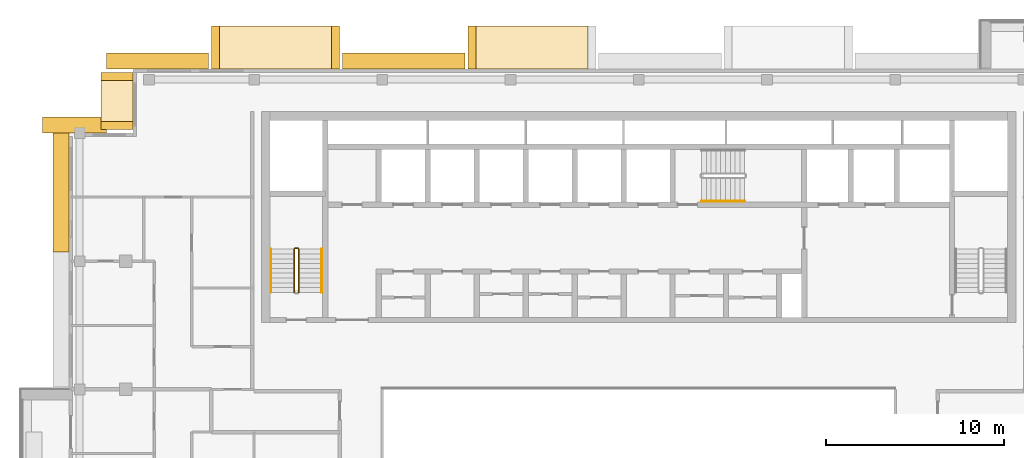
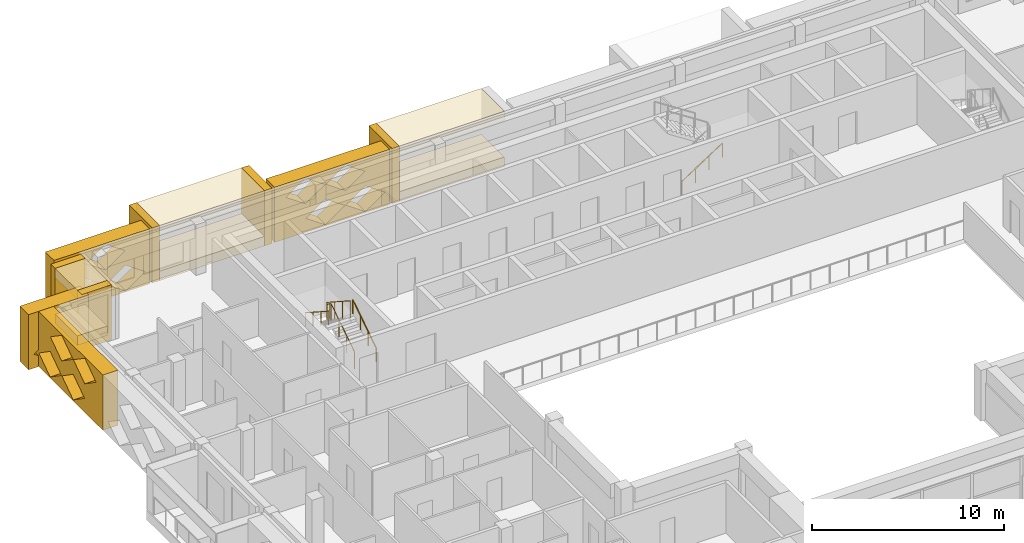
# One storey, part 17 of 19: 15 coverings, 4 railings.
"""IFC4 building model written with IfcOpenShell, lengths in metres."""

from ifc_helpers import new_model, si_unit, direction, frame, origin, origin_2d, place, context, subcontext, project, spatial, polyline, circle, outline, extrude, material, type_object, element, save


model = new_model("IFC4")

# Units and contexts
model_context = context("Model", 3, precision=1e-05, world=origin(), true_north=direction((0.0, 1.0)))
body_context = subcontext(model_context, "Body", "Model", "MODEL_VIEW")
ifc_project = project(units=[si_unit("LENGTHUNIT", "METRE"), si_unit("AREAUNIT", "SQUARE_METRE"), si_unit("VOLUMEUNIT", "CUBIC_METRE"), si_unit("PLANEANGLEUNIT", "RADIAN"), si_unit("MASSUNIT", "GRAM", prefix="KILO")], contexts=[model_context])

# Site, building, storey
site_placement = place(None, origin())
site = spatial("IfcSite", under=ifc_project, at=site_placement, CompositionType="ELEMENT")
building_placement = place(site_placement, origin())
building = spatial("IfcBuilding", under=site, at=building_placement, Name="Saffron Iwan Residences", CompositionType="ELEMENT")
storey_placement = place(building_placement, frame((0.0, 0.0, 264.0)))
storey = spatial("IfcBuildingStorey", under=building, at=storey_placement, Name="L71", CompositionType="ELEMENT", Elevation=264.0)

# Coverings
ifc_material_1 = material(Name="Precast concrete C40/50", Category="concrete")
covering_type_1 = type_object("IfcCoveringType", Name="OUTER SKIN LATTICE SCREEN", PredefinedType="CLADDING", material=ifc_material_1)
covering_1_placement = place(storey_placement, frame((40.64990234375, 80.39990234375, -0.280029296875), z_axis=(0.0, 1.0, 0.0), x_axis=(-1.0, 0.0, 0.0)))
element("IfcCovering", 1, at=covering_1_placement, inside=storey, type_object=covering_type_1, Name="OUTER SKIN lattice screen L71 F5.3", PredefinedType="CLADDING", context=body_context, shape_type="SweptSolid", body=[
    extrude(outline(polyline([(0.0, 0.0), (6.89990234375, 0.0), (6.89990234375, 3.5), (0.0, 3.5), (0.0, 0.0)]), holes=[polyline([(0.27001953125, 0.875), (1.449951171875, 0.06005859375), (2.6298828125, 0.875), (1.449951171875, 1.68994140625), (0.27001953125, 0.875)]), polyline([(2.669921875, 0.875), (3.85009765625, 0.06005859375), (5.030029296875, 0.875), (3.85009765625, 1.68994140625), (2.669921875, 0.875)]), polyline([(1.469970703125, 2.625), (2.64990234375, 1.81005859375), (3.830078125, 2.625), (2.64990234375, 3.43994140625), (1.469970703125, 2.625)]), polyline([(3.8701171875, 2.625), (5.050048828125, 1.81005859375), (6.22998046875, 2.625), (5.050048828125, 3.43994140625), (3.8701171875, 2.625)])]), origin(), (0.0, 0.0, 1.0), 0.900146484375),
])
covering_2_placement = place(storey_placement, frame((26.25, 80.39990234375, -0.280029296875), z_axis=(0.0, 1.0, 0.0), x_axis=(-1.0, 0.0, 0.0)))
element("IfcCovering", 2, at=covering_2_placement, inside=storey, type_object=covering_type_1, Name="OUTER SKIN lattice screen L71 F5.4", PredefinedType="CLADDING", context=body_context, shape_type="SweptSolid", body=[
    extrude(outline(polyline([(0.0, 0.0), (5.75, 0.0), (5.75, 3.5), (0.0, 3.5), (0.0, 0.0)]), holes=[polyline([(0.27001953125, 0.875), (1.449951171875, 0.06005859375), (2.6298828125, 0.875), (1.449951171875, 1.68994140625), (0.27001953125, 0.875)]), polyline([(2.669921875, 0.875), (3.85009765625, 0.06005859375), (5.030029296875, 0.875), (3.85009765625, 1.68994140625), (2.669921875, 0.875)]), polyline([(1.469970703125, 2.625), (2.64990234375, 1.81005859375), (3.830078125, 2.625), (2.64990234375, 3.43994140625), (1.469970703125, 2.625)])]), origin(), (0.0, 0.0, 1.0), 0.900146484375),
])
covering_3_placement = place(storey_placement, frame((20.5, 76.800048828125, -0.280029296875), z_axis=(0.0, 1.0, 0.0), x_axis=(-1.0, 0.0, 0.0)))
element("IfcCovering", 3, at=covering_3_placement, inside=storey, type_object=covering_type_1, Name="OUTER SKIN lattice screen L71 F7.0", PredefinedType="CLADDING", context=body_context, shape_type="SweptSolid", body=[
    extrude(outline(polyline([(0.0, 0.0), (3.60009765625, 0.0), (3.60009765625, 3.5), (0.0, 3.5), (0.0, 0.0)]), holes=[polyline([(0.919921875, 0.875), (2.10009765625, 0.06005859375), (3.280029296875, 0.875), (2.10009765625, 1.68994140625), (0.919921875, 0.875)])]), origin(), (0.0, 0.0, 1.0), 0.89990234375),
])
covering_4_placement = place(storey_placement, frame((18.39990234375, 77.699951171875, -0.280029296875), z_axis=(-1.0, 0.0, 0.0), x_axis=(0.0, -1.0, 0.0)))
element("IfcCovering", 4, at=covering_4_placement, inside=storey, type_object=covering_type_1, Name="OUTER SKIN lattice screen L71 F8.0", PredefinedType="CLADDING", context=body_context, shape_type="SweptSolid", body=[
    extrude(outline(polyline([(0.0, 0.0), (7.574951171875, 0.0), (7.574951171875, 3.5), (0.0, 3.5), (0.0, 0.0)]), holes=[polyline([(0.919921875, 0.875), (2.10009765625, 0.06005859375), (3.280029296875, 0.875), (2.10009765625, 1.68994140625), (0.919921875, 0.875)]), polyline([(3.320068359375, 0.875), (4.5, 0.06005859375), (5.679931640625, 0.875), (4.5, 1.68994140625), (3.320068359375, 0.875)]), polyline([(2.1201171875, 2.625), (3.300048828125, 1.81005859375), (4.47998046875, 2.625), (3.300048828125, 3.43994140625), (2.1201171875, 2.625)]), polyline([(4.52001953125, 2.625), (5.699951171875, 1.81005859375), (6.8798828125, 2.625), (5.699951171875, 3.43994140625), (4.52001953125, 2.625)])]), origin(), (0.0, 0.0, 1.0), 0.89990234375),
])

# Railings
ifc_material_2 = material(Name="Steel S355", Category="steel")
railing_type_1 = type_object("IfcRailingType", Name="Stair guard 1100", PredefinedType="GUARDRAIL", material=ifc_material_2)
railing_1_placement = place(storey_placement, frame((31.300048828125, 67.85009765625, 0.175048828125)))
element("IfcRailing", 5, at=railing_1_placement, inside=storey, type_object=railing_type_1, Name="L71 ST-W stair guard 1", PredefinedType="GUARDRAIL", context=body_context, shape_type="SweptSolid", body=[
    extrude(circle(Radius=0.02392578125, at=origin_2d()), frame((0.0, 0.0, 1.076171875), z_axis=(0.0, 0.839153699163, 0.543894354798), x_axis=(-1.0, 0.0, 0.0)), (0.0, 0.0, 1.0), 2.895751953125),
    extrude(circle(Radius=0.02392578125, at=origin_2d()), frame((0.0, 2.429931640625, 2.65087890625), z_axis=(-0.707106781187, 0.707106781187, 0.0), x_axis=(-0.707106781187, -0.707106781187, 0.0)), (0.0, 0.0, 1.0), 0.07080078125),
    extrude(circle(Radius=0.02392578125, at=origin_2d()), frame((-0.050048828125, 2.47998046875, 2.65087890625), z_axis=(-1.0, 0.0, 0.0), x_axis=(0.0, -1.0, 0.0)), (0.0, 0.0, 1.0), 0.14990234375),
    extrude(circle(Radius=0.02392578125, at=origin_2d()), frame((-0.199951171875, 2.47998046875, 2.65087890625), z_axis=(-0.265065253269, -0.265065253269, 0.927081885822), x_axis=(0.707106781187, -0.707106781187, 0.0)), (0.0, 0.0, 1.0), 0.188720703125),
    extrude(circle(Radius=0.02392578125, at=origin_2d()), frame((-0.25, 2.429931640625, 2.826171875), z_axis=(0.0, -0.839153699163, 0.543894354798), x_axis=(1.0, 0.0, 0.0)), (0.0, 0.0, 1.0), 2.895751953125),
    extrude(circle(Radius=0.02099609375, at=origin_2d()), origin(), (0.0, 0.0, 1.0), 1.052001953125),
    extrude(circle(Radius=0.02099609375, at=origin_2d()), frame((0.0, 0.81005859375, 0.52490234375)), (0.0, 0.0, 1.0), 1.052001953125),
    extrude(circle(Radius=0.02099609375, at=origin_2d()), frame((0.0, 1.619873046875, 1.050048828125)), (0.0, 0.0, 1.0), 1.052001953125),
    extrude(circle(Radius=0.02099609375, at=origin_2d()), frame((0.0, 2.429931640625, 1.574951171875)), (0.0, 0.0, 1.0), 1.052001953125),
    extrude(circle(Radius=0.02099609375, at=origin_2d()), frame((-0.050048828125, 2.47998046875, 1.574951171875)), (0.0, 0.0, 1.0), 1.052001953125),
    extrude(circle(Radius=0.02099609375, at=origin_2d()), frame((-0.199951171875, 2.47998046875, 1.574951171875)), (0.0, 0.0, 1.0), 1.052001953125),
    extrude(circle(Radius=0.02099609375, at=origin_2d()), frame((-0.25, 2.429931640625, 1.75)), (0.0, 0.0, 1.0), 1.052001953125),
    extrude(circle(Radius=0.02099609375, at=origin_2d()), frame((-0.25, 1.619873046875, 2.27490234375)), (0.0, 0.0, 1.0), 1.052001953125),
    extrude(circle(Radius=0.02099609375, at=origin_2d()), frame((-0.25, 0.81005859375, 2.800048828125)), (0.0, 0.0, 1.0), 1.052001953125),
    extrude(circle(Radius=0.02099609375, at=origin_2d()), frame((-0.25, 0.0, 3.324951171875)), (0.0, 0.0, 1.0), 1.052001953125),
])
ifc_material_3 = material(Name="Stainless steel 316", Category="steel")
railing_type_2 = type_object("IfcRailingType", Name="Stair handrail 900", PredefinedType="HANDRAIL", material=ifc_material_3)
railing_2_placement = place(storey_placement, frame((32.60009765625, 67.85009765625, 0.175048828125)))
element("IfcRailing", 6, at=railing_2_placement, inside=storey, type_object=railing_type_2, Name="L71 ST-W stair handrail 1", PredefinedType="HANDRAIL", context=body_context, shape_type="SweptSolid", body=[
    extrude(circle(Radius=0.02392578125, at=origin_2d()), frame((0.0, 0.0, 0.8759765625), z_axis=(0.0, 0.839153699163, 0.543894354798), x_axis=(-1.0, 0.0, 0.0)), (0.0, 0.0, 1.0), 2.895751953125),
    extrude(circle(Radius=0.02099609375, at=origin_2d()), origin(), (0.0, 0.0, 1.0), 0.851806640625),
    extrude(circle(Radius=0.02099609375, at=origin_2d()), frame((0.0, 0.81005859375, 0.52490234375)), (0.0, 0.0, 1.0), 0.851806640625),
    extrude(circle(Radius=0.02099609375, at=origin_2d()), frame((0.0, 1.619873046875, 1.050048828125)), (0.0, 0.0, 1.0), 0.851806640625),
    extrude(circle(Radius=0.02099609375, at=origin_2d()), frame((0.0, 2.429931640625, 1.574951171875)), (0.0, 0.0, 1.0), 0.851806640625),
])
railing_3_placement = place(storey_placement, frame((29.75, 70.280029296875, 1.925048828125)))
element("IfcRailing", 7, at=railing_3_placement, inside=storey, type_object=railing_type_2, Name="L71 ST-W stair handrail 2", PredefinedType="HANDRAIL", context=body_context, shape_type="SweptSolid", body=[
    extrude(circle(Radius=0.02392578125, at=origin_2d()), frame((0.0, 0.0, 0.8759765625), z_axis=(0.0, -0.839153699163, 0.543894354798), x_axis=(1.0, 0.0, 0.0)), (0.0, 0.0, 1.0), 2.895751953125),
    extrude(circle(Radius=0.02099609375, at=origin_2d()), origin(), (0.0, 0.0, 1.0), 0.851806640625),
    extrude(circle(Radius=0.02099609375, at=origin_2d()), frame((0.0, -0.81005859375, 0.52490234375)), (0.0, 0.0, 1.0), 0.851806640625),
    extrude(circle(Radius=0.02099609375, at=origin_2d()), frame((0.0, -1.619873046875, 1.050048828125)), (0.0, 0.0, 1.0), 0.851806640625),
    extrude(circle(Radius=0.02099609375, at=origin_2d()), frame((0.0, -2.429931640625, 1.574951171875)), (0.0, 0.0, 1.0), 0.851806640625),
])
railing_4_placement = place(storey_placement, frame((53.925048828125, 72.97509765625, 0.175048828125)))
element("IfcRailing", 8, at=railing_4_placement, inside=storey, type_object=railing_type_2, Name="L71 ST-C stair handrail 1", PredefinedType="HANDRAIL", context=body_context, shape_type="SweptSolid", body=[
    extrude(circle(Radius=0.02392578125, at=origin_2d()), frame((0.0, 0.0, 0.8759765625), z_axis=(0.839153699163, 0.0, 0.543894354798), x_axis=(0.0, 1.0, 0.0)), (0.0, 0.0, 1.0), 2.895751953125),
    extrude(circle(Radius=0.02099609375, at=origin_2d()), origin(), (0.0, 0.0, 1.0), 0.851806640625),
    extrude(circle(Radius=0.02099609375, at=origin_2d()), frame((0.81005859375, 0.0, 0.52490234375)), (0.0, 0.0, 1.0), 0.851806640625),
    extrude(circle(Radius=0.02099609375, at=origin_2d()), frame((1.619873046875, 0.0, 1.050048828125)), (0.0, 0.0, 1.0), 0.851806640625),
    extrude(circle(Radius=0.02099609375, at=origin_2d()), frame((2.429931640625, 0.0, 1.574951171875)), (0.0, 0.0, 1.0), 0.851806640625),
])

# Coverings
ifc_material_4 = material(Name="Precast concrete C40/50 white painted", Category="concrete")
covering_type_2 = type_object("IfcCoveringType", Name="WHITE SUN FRAME PRECAST", PredefinedType="CLADDING", material=ifc_material_4)
covering_5_placement = place(storey_placement, frame((41.25, 80.39990234375, -0.280029296875), z_axis=(0.0, 1.0, 0.0), x_axis=(-1.0, 0.0, 0.0)))
element("IfcCovering", 9, at=covering_5_placement, inside=storey, type_object=covering_type_2, Name="Sun frame L71 F5 30.8b", PredefinedType="CLADDING", context=body_context, shape_type="SweptSolid", body=[
    extrude(outline(polyline([(0.0, 0.0), (0.449951171875, 0.0), (0.449951171875, 3.5), (0.0, 3.5), (0.0, 0.0)])), origin(), (0.0, 0.0, 1.0), 2.400146484375),
])
for number, where, z_axis, x_axis, name in (
    (10, (47.550048828125, 80.39990234375, 2.6201171875), (0.0, 1.0, 0.0), (-1.0, 0.0, 0.0), "Sun frame L71 F5 30.8h"),
    (11, (47.550048828125, 80.39990234375, -0.280029296875), (0.0, 1.0, 0.0), (-1.0, 0.0, 0.0), "Sun frame L71 F5 30.8s"),
):
    element("IfcCovering", number, at=place(storey_placement, frame(where, z_axis=z_axis, x_axis=x_axis)), inside=storey, type_object=covering_type_2, Name=name, PredefinedType="CLADDING", context=body_context, shape_type="SweptSolid", body=[
        extrude(outline(polyline([(0.0, 0.0), (6.300048828125, 0.0), (6.300048828125, 0.60009765625), (0.0, 0.60009765625), (0.0, 0.0)])), origin(), (0.0, 0.0, 1.0), 2.400146484375),
    ])
for number, where, z_axis, x_axis, name in (
    (12, (33.60009765625, 80.39990234375, -0.280029296875), (0.0, 1.0, 0.0), (-1.0, 0.0, 0.0), "Sun frame L71 F5 45.2a"),
    (13, (26.85009765625, 80.39990234375, -0.280029296875), (0.0, 1.0, 0.0), (-1.0, 0.0, 0.0), "Sun frame L71 F5 45.2b"),
):
    element("IfcCovering", number, at=place(storey_placement, frame(where, z_axis=z_axis, x_axis=x_axis)), inside=storey, type_object=covering_type_2, Name=name, PredefinedType="CLADDING", context=body_context, shape_type="SweptSolid", body=[
        extrude(outline(polyline([(0.0, 0.0), (0.449951171875, 0.0), (0.449951171875, 3.5), (0.0, 3.5), (0.0, 0.0)])), origin(), (0.0, 0.0, 1.0), 2.400146484375),
    ])
for number, where, z_axis, x_axis, name in (
    (14, (33.14990234375, 80.39990234375, 2.6201171875), (0.0, 1.0, 0.0), (-1.0, 0.0, 0.0), "Sun frame L71 F5 45.2h"),
    (15, (33.14990234375, 80.39990234375, -0.280029296875), (0.0, 1.0, 0.0), (-1.0, 0.0, 0.0), "Sun frame L71 F5 45.2s"),
):
    element("IfcCovering", number, at=place(storey_placement, frame(where, z_axis=z_axis, x_axis=x_axis)), inside=storey, type_object=covering_type_2, Name=name, PredefinedType="CLADDING", context=body_context, shape_type="SweptSolid", body=[
        extrude(outline(polyline([(0.0, 0.0), (6.300048828125, 0.0), (6.300048828125, 0.60009765625), (0.0, 0.60009765625), (0.0, 0.0)])), origin(), (0.0, 0.0, 1.0), 2.400146484375),
    ])
for number, where, z_axis, x_axis, name in (
    (16, (22.0, 80.199951171875, -0.280029296875), (-1.0, 0.0, 0.0), (0.0, -1.0, 0.0), "Sun frame L71 F6 0.2a"),
    (17, (22.0, 77.449951171875, -0.280029296875), (-1.0, 0.0, 0.0), (0.0, -1.0, 0.0), "Sun frame L71 F6 0.2b"),
):
    element("IfcCovering", number, at=place(storey_placement, frame(where, z_axis=z_axis, x_axis=x_axis)), inside=storey, type_object=covering_type_2, Name=name, PredefinedType="CLADDING", context=body_context, shape_type="SweptSolid", body=[
        extrude(outline(polyline([(0.0, 0.0), (0.449951171875, 0.0), (0.449951171875, 3.5), (0.0, 3.5), (0.0, 0.0)])), origin(), (0.0, 0.0, 1.0), 1.800048828125),
    ])
for number, where, z_axis, x_axis, name in (
    (18, (22.0, 79.75, 2.6201171875), (-1.0, 0.0, 0.0), (0.0, -1.0, 0.0), "Sun frame L71 F6 0.2h"),
    (19, (22.0, 79.75, -0.280029296875), (-1.0, 0.0, 0.0), (0.0, -1.0, 0.0), "Sun frame L71 F6 0.2s"),
):
    element("IfcCovering", number, at=place(storey_placement, frame(where, z_axis=z_axis, x_axis=x_axis)), inside=storey, type_object=covering_type_2, Name=name, PredefinedType="CLADDING", context=body_context, shape_type="SweptSolid", body=[
        extrude(outline(polyline([(0.0, 0.0), (2.300048828125, 0.0), (2.300048828125, 0.60009765625), (0.0, 0.60009765625), (0.0, 0.0)])), origin(), (0.0, 0.0, 1.0), 1.800048828125),
    ])

save(model, "model.ifc")
